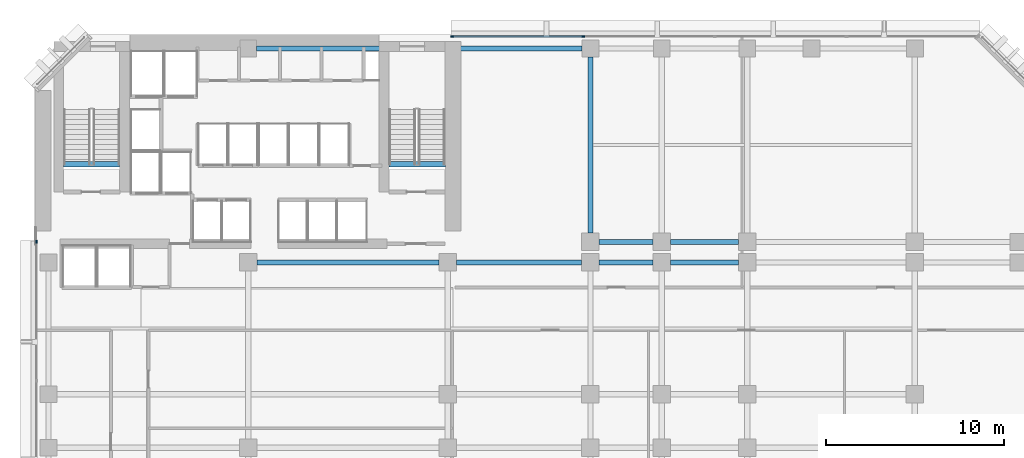
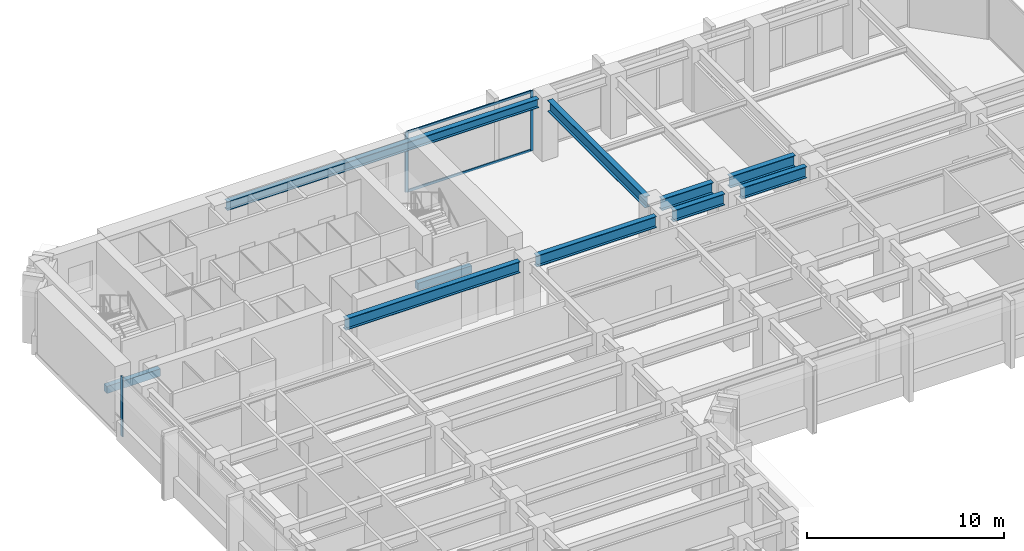
# One storey, part 4 of 14: 10 beams, 5 members, 2 elements without a shape of their own.
"""IFC4 building model written with IfcOpenShell, lengths in metres."""

from ifc_helpers import new_model, si_unit, direction, frame, origin, origin_2d, place, context, subcontext, project, spatial, rectangle, i_section, extrude, material, layer, layer_set, material_profile, profile_set, type_object, element, aggregate, save


model = new_model("IFC4")

# Units and contexts
model_context = context("Model", 3, precision=1e-05, world=origin(), true_north=direction((0.0, 1.0)))
body_context = subcontext(model_context, "Body", "Model", "MODEL_VIEW")
ifc_project = project(units=[si_unit("LENGTHUNIT", "METRE"), si_unit("AREAUNIT", "SQUARE_METRE"), si_unit("VOLUMEUNIT", "CUBIC_METRE"), si_unit("PLANEANGLEUNIT", "RADIAN"), si_unit("MASSUNIT", "GRAM", prefix="KILO")], contexts=[model_context])

# Site, building, storey
site_placement = place(None, origin())
site = spatial("IfcSite", under=ifc_project, at=site_placement, CompositionType="ELEMENT")
building_placement = place(site_placement, origin())
building = spatial("IfcBuilding", under=site, at=building_placement, Name="Kefirva Bronze Tower", CompositionType="ELEMENT")
storey_placement = place(building_placement, frame((0.0, 0.0, 34.320068359375)))
storey = spatial("IfcBuildingStorey", under=building, at=storey_placement, Name="L07", CompositionType="ELEMENT", Elevation=34.320068359375)

# Curtain wall, members
ifc_material_1 = material(Name="Bronze anodised aluminium", Category="aluminium")
ifc_layer = layer(ifc_material_1, 0.199951171875, Name="Bronze anodised aluminium")
ifc_layer_set = layer_set([ifc_layer], Name="Bronze anodised aluminium")
curtain_wall_type = type_object("IfcCurtainWallType", Name="Unitised Bronze Ribbon Curtain Wall Zone 1", PredefinedType="USERDEFINED", material=ifc_layer_set)
curtain_wall_1_placement = place(storey_placement, origin())
curtain_wall_1 = element("IfcCurtainWall", 1, at=curtain_wall_1_placement, inside=storey, type_object=curtain_wall_type, Name="L07 Curtain Wall 4", ObjectType="UNITISED CURTAIN WALL", PredefinedType="USERDEFINED")
ifc_material_profile_1 = material_profile(ifc_material_1, rectangle(XDim=0.074951171875, YDim=0.179931640625, at=origin_2d()), Name="ALU 75x180")
ifc_profile_set_1 = profile_set([ifc_material_profile_1], Name="Bronze anodised aluminium")
member_type_1 = type_object("IfcMemberType", Name="Bronze Mullion 75x180", PredefinedType="MULLION", material=ifc_profile_set_1)
member_1_placement = place(storey_placement, frame((30.7900390625, 45.8798828125, 0.0), z_axis=(0.0, 0.0, 1.0), x_axis=(0.0, -1.0, 0.0)))
member_1 = element("IfcMember", 2, at=member_1_placement, type_object=member_type_1, Name="CW-01 mullion 4", PredefinedType="MULLION", context=body_context, shape_type="SweptSolid", body=[
    extrude(rectangle(XDim=0.074951171875, YDim=0.179931640625, at=origin_2d()), origin(), (0.0, 0.0, 1.0), 3.7099609375),
])
member_2_placement = place(storey_placement, frame((23.4423828125, 45.8798828125, 0.0), z_axis=(0.0, 0.0, 1.0), x_axis=(0.0, -1.0, 0.0)))
member_2 = element("IfcMember", 3, at=member_2_placement, type_object=member_type_1, Name="CW-01 mullion 5", PredefinedType="MULLION", context=body_context, shape_type="SweptSolid", body=[
    extrude(rectangle(XDim=0.074951171875, YDim=0.179931640625, at=origin_2d()), origin(), (0.0, 0.0, 1.0), 3.7099609375),
])

# Curtain wall, member
curtain_wall_2_placement = place(storey_placement, origin())
curtain_wall_2 = element("IfcCurtainWall", 4, at=curtain_wall_2_placement, inside=storey, type_object=curtain_wall_type, Name="L07 Curtain Wall 5", ObjectType="UNITISED CURTAIN WALL", PredefinedType="USERDEFINED")
member_3_placement = place(storey_placement, frame((0.1201171875, 34.357421875, 0.0), z_axis=(0.0, 0.0, 1.0), x_axis=(1.0, 0.0, 0.0)))
member_3 = element("IfcMember", 5, at=member_3_placement, type_object=member_type_1, Name="CW-01 mullion 1", PredefinedType="MULLION", context=body_context, shape_type="SweptSolid", body=[
    extrude(rectangle(XDim=0.074951171875, YDim=0.179931640625, at=origin_2d()), origin(), (0.0, 0.0, 1.0), 3.7099609375),
])
aggregate(curtain_wall_2, [member_3])

# Member
ifc_material_profile_2 = material_profile(ifc_material_1, rectangle(XDim=0.074951171875, YDim=0.14990234375, at=origin_2d()), Name="ALU 75x150")
ifc_profile_set_2 = profile_set([ifc_material_profile_2], Name="Bronze anodised aluminium")
member_type_2 = type_object("IfcMemberType", Name="Bronze Transom 75x150", PredefinedType="USERDEFINED", material=ifc_profile_set_2)
member_4_placement = place(storey_placement, frame((30.75244140625, 45.8798828125, 0.037353515625), z_axis=(-1.0, 0.0, 0.0), x_axis=(0.0, -1.0, 0.0)))
member_4 = element("IfcMember", 6, at=member_4_placement, type_object=member_type_2, Name="CW-01 transom 4.1", ObjectType="TRANSOM", PredefinedType="USERDEFINED", context=body_context, shape_type="SweptSolid", body=[
    extrude(rectangle(XDim=0.074951171875, YDim=0.14990234375, at=origin_2d()), origin(), (0.0, 0.0, 1.0), 7.2724609375),
])

member_5_placement = place(storey_placement, frame((30.75244140625, 45.8798828125, 3.67236328125), z_axis=(-1.0, 0.0, 0.0), x_axis=(0.0, -1.0, 0.0)))
member_5 = element("IfcMember", 7, at=member_5_placement, type_object=member_type_2, Name="CW-01 transom 4.2", ObjectType="TRANSOM", PredefinedType="USERDEFINED", context=body_context, shape_type="SweptSolid", body=[
    extrude(rectangle(XDim=0.074951171875, YDim=0.14990234375, at=origin_2d()), origin(), (0.0, 0.0, 1.0), 7.2724609375),
])

aggregate(curtain_wall_1, [member_1, member_2, member_4, member_5])

# Beams
ifc_material_2 = material(Name="Concrete C50/60", Category="concrete")
ifc_material_profile_3 = material_profile(ifc_material_2, rectangle(XDim=0.300048828125, YDim=0.449951171875, at=origin_2d()), Name="RC 300x450")
ifc_profile_set_3 = profile_set([ifc_material_profile_3], Name="Concrete C50/60")
beam_type_1 = type_object("IfcBeamType", Name="RC Stair Trimmer Beam 300x450", PredefinedType="BEAM", material=ifc_profile_set_3)
beam_1_placement = place(storey_placement, frame((1.64501953125, 38.699951171875, -0.22509765625), z_axis=(1.0, 0.0, 0.0), x_axis=(0.0, 1.0, 0.0)))
element("IfcBeam", 8, at=beam_1_placement, inside=storey, type_object=beam_type_1, Name="L07 Stair 1 Landing Trimmer Beam", PredefinedType="BEAM", context=body_context, shape_type="SweptSolid", body=[
    extrude(rectangle(XDim=0.300048828125, YDim=0.449951171875, at=origin_2d()), origin(), (0.0, 0.0, 1.0), 3.14990234375),
])
beam_2_placement = place(storey_placement, frame((19.89501953125, 38.699951171875, -0.22509765625), z_axis=(1.0, 0.0, 0.0), x_axis=(0.0, 1.0, 0.0)))
element("IfcBeam", 9, at=beam_2_placement, inside=storey, type_object=beam_type_1, Name="L07 Stair 2 Landing Trimmer Beam", PredefinedType="BEAM", context=body_context, shape_type="SweptSolid", body=[
    extrude(rectangle(XDim=0.300048828125, YDim=0.449951171875, at=origin_2d()), origin(), (0.0, 0.0, 1.0), 3.159912109375),
])
ifc_material_3 = material(Name="Steel S355", Category="steel")
ifc_material_profile_4 = material_profile(ifc_material_3, i_section(OverallWidth=0.300048828125, OverallDepth=0.699951171875, WebThickness=0.01708984375, FlangeThickness=0.031982421875, at=origin_2d()), Name="HEB 700")
ifc_profile_set_4 = profile_set([ifc_material_profile_4], Name="Steel S355")
beam_type_2 = type_object("IfcBeamType", Name="Steel Girder HEB 700", PredefinedType="USERDEFINED", material=ifc_profile_set_4)
beam_3_placement = place(storey_placement, frame((12.489990234375, 33.199951171875, 3.35986328125), z_axis=(1.0, 0.0, 0.0), x_axis=(0.0, 1.0, 0.0)))
element("IfcBeam", 10, at=beam_3_placement, inside=storey, type_object=beam_type_2, Name="L07 BM-L07-EW-12-332", ObjectType="GIRDER", PredefinedType="USERDEFINED", context=body_context, shape_type="SweptSolid", body=[
    extrude(i_section(OverallWidth=0.300048828125, OverallDepth=0.699951171875, WebThickness=0.01708984375, FlangeThickness=0.031982421875, at=origin_2d()), origin(), (0.0, 0.0, 1.0), 10.219970703125),
])
beam_4_placement = place(storey_placement, frame((23.68994140625, 33.199951171875, 3.35986328125), z_axis=(1.0, 0.0, 0.0), x_axis=(0.0, 1.0, 0.0)))
element("IfcBeam", 11, at=beam_4_placement, inside=storey, type_object=beam_type_2, Name="L07 BM-L07-EW-23-332", ObjectType="GIRDER", PredefinedType="USERDEFINED", context=body_context, shape_type="SweptSolid", body=[
    extrude(i_section(OverallWidth=0.300048828125, OverallDepth=0.699951171875, WebThickness=0.01708984375, FlangeThickness=0.031982421875, at=origin_2d()), origin(), (0.0, 0.0, 1.0), 7.02001953125),
])
beam_5_placement = place(storey_placement, frame((31.68994140625, 33.199951171875, 3.35986328125), z_axis=(1.0, 0.0, 0.0), x_axis=(0.0, 1.0, 0.0)))
element("IfcBeam", 12, at=beam_5_placement, inside=storey, type_object=beam_type_2, Name="L07 BM-L07-EW-31-332", ObjectType="GIRDER", PredefinedType="USERDEFINED", context=body_context, shape_type="SweptSolid", body=[
    extrude(i_section(OverallWidth=0.300048828125, OverallDepth=0.699951171875, WebThickness=0.01708984375, FlangeThickness=0.031982421875, at=origin_2d()), origin(), (0.0, 0.0, 1.0), 3.02001953125),
])
beam_6_placement = place(storey_placement, frame((35.68994140625, 33.199951171875, 3.35986328125), z_axis=(1.0, 0.0, 0.0), x_axis=(0.0, 1.0, 0.0)))
element("IfcBeam", 13, at=beam_6_placement, inside=storey, type_object=beam_type_2, Name="L07 BM-L07-EW-35-332", ObjectType="GIRDER", PredefinedType="USERDEFINED", context=body_context, shape_type="SweptSolid", body=[
    extrude(i_section(OverallWidth=0.300048828125, OverallDepth=0.699951171875, WebThickness=0.01708984375, FlangeThickness=0.031982421875, at=origin_2d()), origin(), (0.0, 0.0, 1.0), 3.820068359375),
])
beam_7_placement = place(storey_placement, frame((31.68994140625, 34.35009765625, 3.35986328125), z_axis=(1.0, 0.0, 0.0), x_axis=(0.0, 1.0, 0.0)))
element("IfcBeam", 14, at=beam_7_placement, inside=storey, type_object=beam_type_2, Name="L07 BM-L07-EW-31-344", ObjectType="GIRDER", PredefinedType="USERDEFINED", context=body_context, shape_type="SweptSolid", body=[
    extrude(i_section(OverallWidth=0.300048828125, OverallDepth=0.699951171875, WebThickness=0.01708984375, FlangeThickness=0.031982421875, at=origin_2d()), origin(), (0.0, 0.0, 1.0), 3.02001953125),
])
beam_8_placement = place(storey_placement, frame((35.68994140625, 34.35009765625, 3.35986328125), z_axis=(1.0, 0.0, 0.0), x_axis=(0.0, 1.0, 0.0)))
element("IfcBeam", 15, at=beam_8_placement, inside=storey, type_object=beam_type_2, Name="L07 BM-L07-EW-35-344", ObjectType="GIRDER", PredefinedType="USERDEFINED", context=body_context, shape_type="SweptSolid", body=[
    extrude(i_section(OverallWidth=0.300048828125, OverallDepth=0.699951171875, WebThickness=0.01708984375, FlangeThickness=0.031982421875, at=origin_2d()), origin(), (0.0, 0.0, 1.0), 3.820068359375),
])
beam_9_placement = place(storey_placement, frame((31.199951171875, 34.840087890625, 3.35986328125), z_axis=(0.0, 1.0, 0.0), x_axis=(-1.0, 0.0, 0.0)))
element("IfcBeam", 16, at=beam_9_placement, inside=storey, type_object=beam_type_2, Name="L07 BM-L07-NS-312-34", ObjectType="GIRDER", PredefinedType="USERDEFINED", context=body_context, shape_type="SweptSolid", body=[
    extrude(i_section(OverallWidth=0.300048828125, OverallDepth=0.699951171875, WebThickness=0.01708984375, FlangeThickness=0.031982421875, at=origin_2d()), origin(), (0.0, 0.0, 1.0), 9.889892578125),
])
ifc_material_profile_5 = material_profile(ifc_material_3, i_section(OverallWidth=0.300048828125, OverallDepth=0.550048828125, WebThickness=0.014892578125, FlangeThickness=0.029052734375, at=origin_2d()), Name="HEB 550")
ifc_profile_set_5 = profile_set([ifc_material_profile_5], Name="Steel S355")
beam_type_3 = type_object("IfcBeamType", Name="Steel Spandrel HEB 550 Ext", PredefinedType="SPANDREL", material=ifc_profile_set_5)
beam_10_placement = place(storey_placement, frame((12.469970703125, 45.199951171875, 3.434814453125), z_axis=(1.0, 0.0, 0.0), x_axis=(0.0, 1.0, 0.0)))
element("IfcBeam", 17, at=beam_10_placement, inside=storey, type_object=beam_type_3, Name="L07 BM-L07-EW-12-452", PredefinedType="SPANDREL", context=body_context, shape_type="SweptSolid", body=[
    extrude(i_section(OverallWidth=0.300048828125, OverallDepth=0.550048828125, WebThickness=0.014892578125, FlangeThickness=0.029052734375, at=origin_2d()), origin(), (0.0, 0.0, 1.0), 18.260009765625),
])

save(model, "model.ifc")
